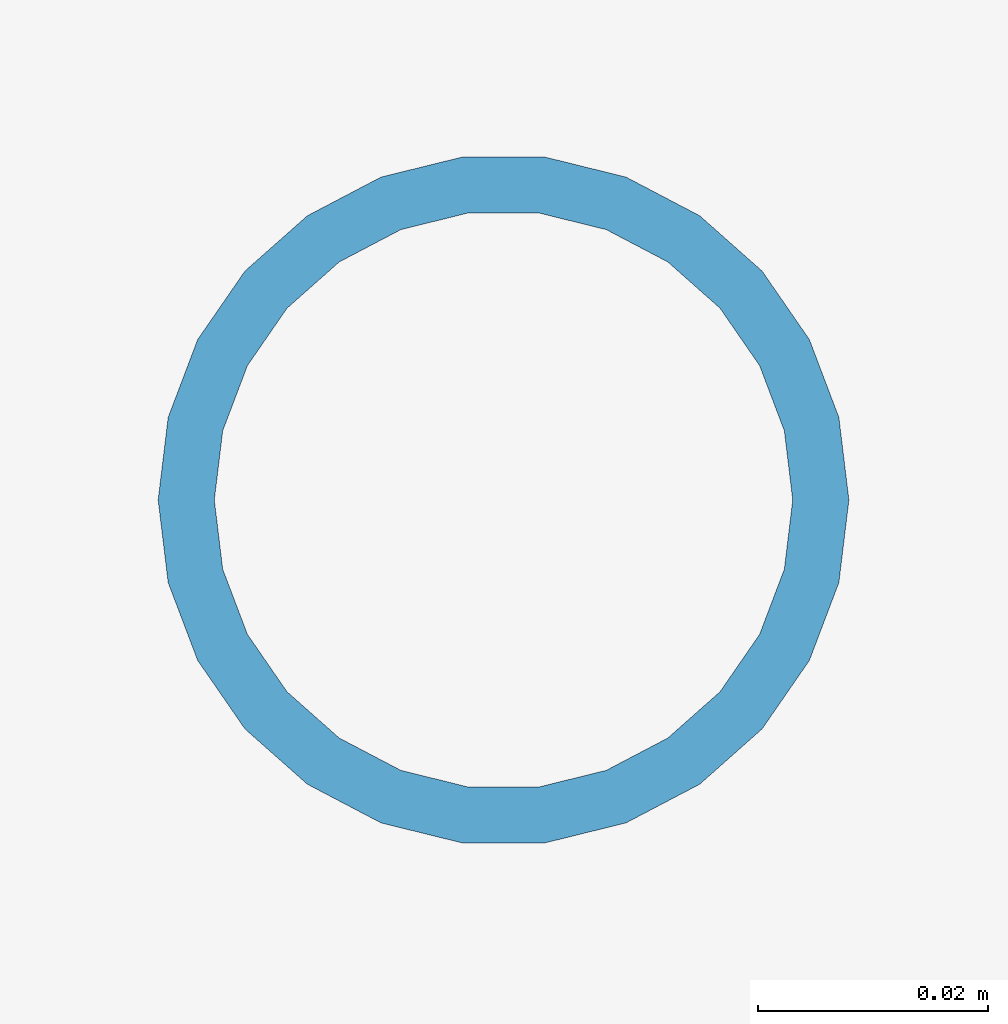
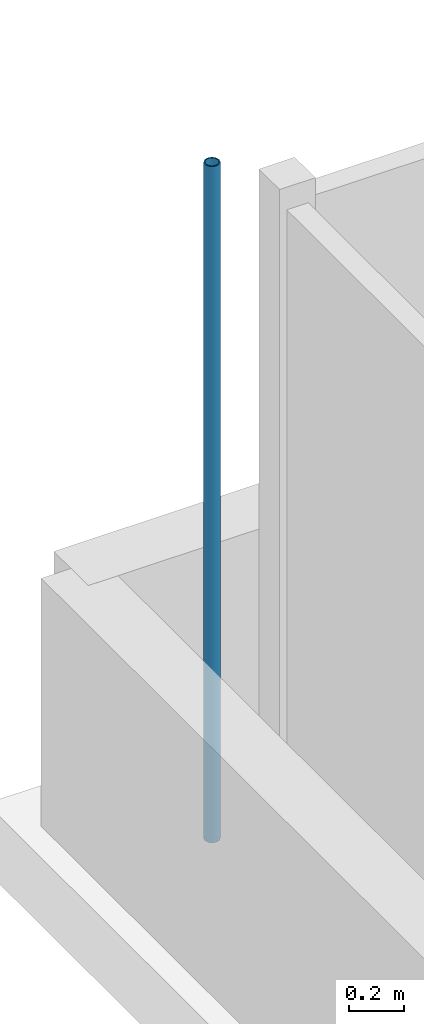
# One storey, part 2 of 5: 1 member.
"""IFC4 building model written with IfcOpenShell, lengths in metres."""

from ifc_helpers import new_model, si_unit, direction, frame, origin, origin_2d, place, context, subcontext, project, spatial, hollow_circle, extrude, material, material_profile, profile_set, type_object, element, save


model = new_model("IFC4")

# Units and contexts
model_context = context("Model", 3, precision=1e-05, world=origin(), true_north=direction((0.0, 1.0)))
body_context = subcontext(model_context, "Body", "Model", "MODEL_VIEW")
ifc_project = project(units=[si_unit("LENGTHUNIT", "METRE"), si_unit("AREAUNIT", "SQUARE_METRE"), si_unit("VOLUMEUNIT", "CUBIC_METRE"), si_unit("PLANEANGLEUNIT", "RADIAN"), si_unit("MASSUNIT", "GRAM", prefix="KILO")], contexts=[model_context])

# Site, building, storey
site_placement = place(None, origin())
site = spatial("IfcSite", under=ifc_project, at=site_placement, CompositionType="ELEMENT")
building_placement = place(site_placement, origin())
building = spatial("IfcBuilding", under=site, at=building_placement, Name="Welwitschia Terrace Campus", CompositionType="ELEMENT")
storey_placement = place(building_placement, frame((0.0, 0.0, 344.0)))
storey = spatial("IfcBuildingStorey", under=building, at=storey_placement, Name="MAIN ROOF", CompositionType="ELEMENT", Elevation=344.0)

# Member
ifc_material = material(Name="Stainless steel grade 316", Category="steel")
ifc_material_profile = material_profile(ifc_material, hollow_circle(Radius=0.030029296875, WallThickness=0.0048828125, at=origin_2d()))
ifc_profile_set = profile_set([ifc_material_profile], Name="Stainless steel grade 316")
member_type = type_object("IfcMemberType", Name="Lightning rod CHS 60x5", PredefinedType="USERDEFINED", material=ifc_profile_set)
member_placement = place(storey_placement, frame((-0.39990234375, 38.39990234375, 0.0), z_axis=(0.0, 0.0, 1.0), x_axis=(1.0, 0.0, 0.0)))
element("IfcMember", 1, at=member_placement, inside=storey, type_object=member_type, Name="MAST rod 2", ObjectType="MAST", PredefinedType="USERDEFINED", context=body_context, shape_type="SweptSolid", body=[
    extrude(hollow_circle(Radius=0.030029296875, WallThickness=0.0048828125, at=origin_2d()), origin(), (0.0, 0.0, 1.0), 3.0),
])

save(model, "model.ifc")
